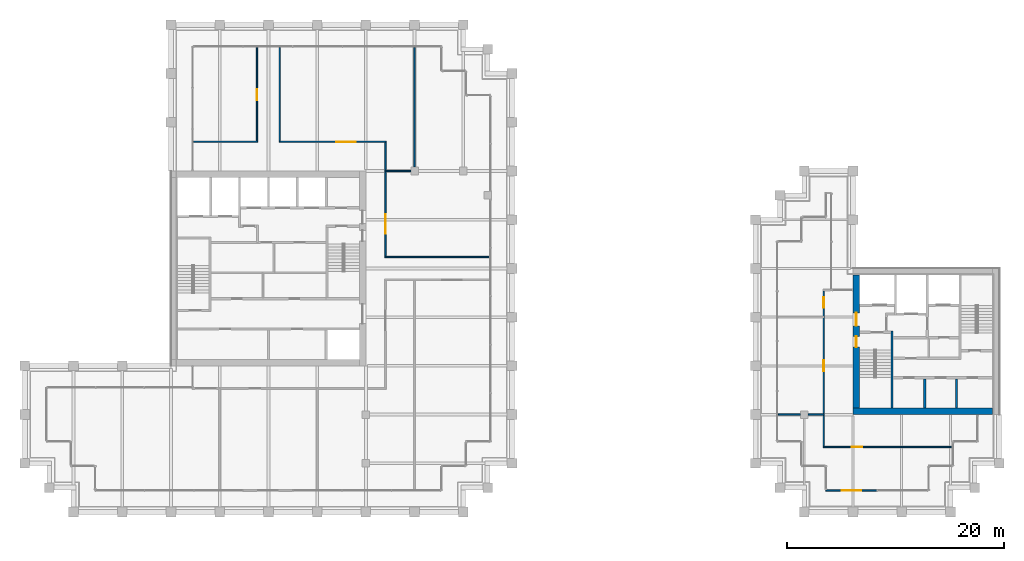
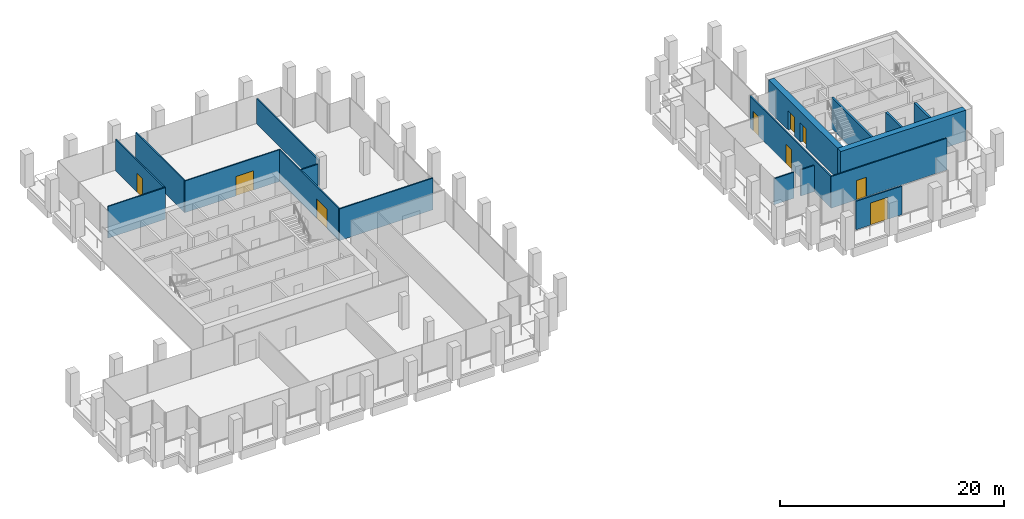
# One storey, part 37 of 40: 18 walls, 9 doors, 9 openings.
"""IFC4 building model written with IfcOpenShell, lengths in metres."""

import ifcopenshell
import ifcopenshell.guid

model = None  # the IFC model being written
_history = None  # IfcOwnerHistory: only IFC2X3 demands one
_inside = {}  # id of a spatial element -> (the spatial element, [elements in it])
_under = {}  # id of a project, library or spatial element -> (it, [spatial elements below it])
_declared = {}  # id of a project -> (the project, [libraries it declares])
_typed = {}  # id of a type object -> (the type object, [elements of that type])
_made_of = {}  # id of a material, layer set ... -> (it, [elements and type objects made of it])


def new_model(schema):
    """Start an empty IFC model of exactly this schema.

    Asked for "IFC4X3", IfcOpenShell would pick the latest addendum, in which some entities
    have other attributes; the version numbers below select the first issue.
    IFC2X3 requires an IfcOwnerHistory on every rooted entity: one is made here for all.
    """
    global model, _history
    if schema == "IFC4X3":
        model = ifcopenshell.file(schema_version=(4, 3, 0, 0))
    else:
        model = ifcopenshell.file(schema=schema)
    _inside.clear()
    _under.clear()
    _declared.clear()
    _typed.clear()
    _made_of.clear()
    _history = None
    if model.schema == "IFC2X3":
        org = make("IfcOrganization", Name="unknown")
        user = make(
            "IfcPersonAndOrganization",
            ThePerson=make("IfcPerson", FamilyName="unknown"),
            TheOrganization=org,
        )
        app = make(
            "IfcApplication",
            ApplicationDeveloper=org,
            Version="unknown",
            ApplicationFullName="unknown",
            ApplicationIdentifier="unknown",
        )
        _history = make(
            "IfcOwnerHistory",
            OwningUser=user,
            OwningApplication=app,
            ChangeAction="ADDED",
            CreationDate=0,
        )
    return model


def make(cls, **values):
    """One entity of the class cls with the attributes given. An attribute that is None is left unset."""
    return model.create_entity(
        cls, **{name: value for name, value in values.items() if value is not None}
    )


def rooted(cls, **values):
    """An entity with a GlobalId (a new one), such as an element, a storey or a relation."""
    return make(cls, GlobalId=ifcopenshell.guid.new(), OwnerHistory=_history, **values)


def si_unit(unit_type, name, prefix=None):
    """IfcSIUnit, for example si_unit("LENGTHUNIT", "METRE", prefix="MILLI")."""
    return make("IfcSIUnit", UnitType=unit_type, Prefix=prefix, Name=name)


def assignment(units):
    """IfcUnitAssignment: the units of a project."""
    return None if units is None else make("IfcUnitAssignment", Units=units)


def point(xyz):
    """IfcCartesianPoint."""
    return None if xyz is None else make("IfcCartesianPoint", Coordinates=xyz)


def direction(xyz):
    """IfcDirection."""
    return None if xyz is None else make("IfcDirection", DirectionRatios=xyz)


def frame(location, z_axis=None, x_axis=None):
    """IfcAxis2Placement3D, a coordinate frame: its origin and axes. An axis left out is left unset."""
    return make(
        "IfcAxis2Placement3D",
        Location=point(location),
        Axis=direction(z_axis),
        RefDirection=direction(x_axis),
    )


def frame_2d(location, x_axis=None):
    """IfcAxis2Placement2D, a coordinate frame in the plane: its origin and x axis."""
    return make(
        "IfcAxis2Placement2D", Location=point(location), RefDirection=direction(x_axis)
    )


def origin():
    """The frame at (0, 0, 0) with its axes left unset."""
    return frame((0.0, 0.0, 0.0))


def place(relative_to, where):
    """IfcLocalPlacement: puts the frame where relative to a parent placement (None: the world)."""
    return make(
        "IfcLocalPlacement", PlacementRelTo=relative_to, RelativePlacement=where
    )


def context(
    kind, dimensions, precision=None, world=None, true_north=None, identifier=None
):
    """IfcGeometricRepresentationContext, for example the 3D "Model" context."""
    return make(
        "IfcGeometricRepresentationContext",
        ContextIdentifier=identifier,
        ContextType=kind,
        CoordinateSpaceDimension=dimensions,
        Precision=precision,
        WorldCoordinateSystem=world,
        TrueNorth=true_north,
    )


def subcontext(parent, identifier, kind, view, scale=None):
    """IfcGeometricRepresentationSubContext, for example "Body" below "Model"."""
    return make(
        "IfcGeometricRepresentationSubContext",
        ContextIdentifier=identifier,
        ContextType=kind,
        ParentContext=parent,
        TargetScale=scale,
        TargetView=view,
    )


def project(units=None, contexts=None):
    """IfcProject with its units and contexts."""
    return rooted(
        "IfcProject",
        Name="project",
        RepresentationContexts=contexts,
        UnitsInContext=assignment(units),
    )


def spatial(cls, under=None, at=None, **own):
    """A site, building, storey or space (cls), placed at a placement, below another one or the project."""
    s = rooted(cls, ObjectPlacement=at, **own)
    if under is not None:
        _under.setdefault(under.id(), (under, []))[1].append(s)
    return s


def profile(cls, at=None, kind="AREA", **sizes):
    """A parametric profile (cls). Its sizes go by their IFC names, for example OverallWidth=200.0."""
    return make(cls, ProfileType=kind, Position=at, **sizes)


def rectangle(**sizes):
    """IfcRectangleProfileDef."""
    return profile("IfcRectangleProfileDef", **sizes)


def extrude(swept, where, along, depth):
    """IfcExtrudedAreaSolid: the profile swept, set in the frame where, extruded along a direction by depth."""
    return make(
        "IfcExtrudedAreaSolid",
        SweptArea=swept,
        Position=where,
        ExtrudedDirection=direction(along),
        Depth=depth,
    )


def shape(context_of_items, identifier, shape_type, items):
    """IfcShapeRepresentation: the items that make up one representation, for example the "Body"."""
    return make(
        "IfcShapeRepresentation",
        ContextOfItems=context_of_items,
        RepresentationIdentifier=identifier,
        RepresentationType=shape_type,
        Items=items,
    )


def material(Name=None, Category=None):
    """IfcMaterial."""
    return make("IfcMaterial", Name=Name, Category=Category)


def layer(
    of_material, thickness, ventilated=None, Name=None, Category=None, Priority=None
):
    """IfcMaterialLayer: one layer of a wall or slab, of a material (None: an air gap)."""
    return make(
        "IfcMaterialLayer",
        Material=of_material,
        LayerThickness=thickness,
        IsVentilated=ventilated,
        Name=Name,
        Category=Category,
        Priority=Priority,
    )


def layer_set(layers, Name=None):
    """IfcMaterialLayerSet."""
    return make("IfcMaterialLayerSet", MaterialLayers=layers, LayerSetName=Name)


def made_of(thing, what):
    """Note that an element or type object is made of a material, layer set ...; save() writes the relation."""
    if what is not None:
        _made_of.setdefault(what.id(), (what, []))[1].append(thing)
    return thing


def type_object(cls, material=None, **own):
    """A type object (cls), such as IfcWallType, which elements share."""
    return made_of(rooted(cls, **own), material)


def element(
    cls,
    number,
    at=None,
    inside=None,
    cuts=None,
    type_object=None,
    material=None,
    context=None,
    identifier="Body",
    shape_type=None,
    held_by="IfcProductDefinitionShape",
    body=None,
    shapes=None,
    **own,
):
    """One element of the class cls, such as IfcWall. Its Tag is "e" and its number.

    at: its placement. inside: the storey or other place that contains it. cuts: it is an
    opening in that element (IfcRelVoidsElement). A single representation is given by context,
    identifier, shape_type and body (its items); several are given by shapes. held_by: the class
    of the entity that holds the representations. save() writes the other relations.
    """
    e = rooted(cls, Tag="e%d" % number, ObjectPlacement=at, **own)
    if body is not None:
        shapes = [shape(context, identifier, shape_type, body)]
    if shapes is not None:
        e.Representation = make(held_by, Representations=shapes)
    if inside is not None:
        _inside.setdefault(inside.id(), (inside, []))[1].append(e)
    if cuts is not None:
        rooted(
            "IfcRelVoidsElement", RelatingBuildingElement=cuts, RelatedOpeningElement=e
        )
    if type_object is not None:
        _typed.setdefault(type_object.id(), (type_object, []))[1].append(e)
    return made_of(e, material)


def fill(opening, filler):
    """IfcRelFillsElement: the door or window that sits in an opening."""
    return rooted(
        "IfcRelFillsElement",
        RelatingOpeningElement=opening,
        RelatedBuildingElement=filler,
    )


def aggregate(whole, parts):
    """IfcRelAggregates: a whole, such as a stair, and the parts it consists of."""
    return rooted("IfcRelAggregates", RelatingObject=whole, RelatedObjects=parts)


def save(model, path):
    """Write the relations noted so far, then the file.

    IfcRelAggregates (storeys below a building ...), IfcRelContainedInSpatialStructure (elements
    in a storey), IfcRelDefinesByType, IfcRelAssociatesMaterial and IfcRelDeclares: one each for
    every whole, place, type object, material and project.
    """
    for whole, parts in _under.values():
        aggregate(whole, parts)
    for where, things in _inside.values():
        rooted(
            "IfcRelContainedInSpatialStructure",
            RelatedElements=things,
            RelatingStructure=where,
        )
    for kind, things in _typed.values():
        rooted("IfcRelDefinesByType", RelatedObjects=things, RelatingType=kind)
    for what, things in _made_of.values():
        rooted("IfcRelAssociatesMaterial", RelatedObjects=things, RelatingMaterial=what)
    for by, libraries in _declared.values():
        rooted("IfcRelDeclares", RelatingContext=by, RelatedDefinitions=libraries)
    model.write(path)


model = new_model("IFC4")

# Units and contexts
model_context = context("Model", 3, precision=1e-05, world=origin(), true_north=direction((0.0, 1.0)))
body_context = subcontext(model_context, "Body", "Model", "MODEL_VIEW")
ifc_project = project(units=[si_unit("LENGTHUNIT", "METRE"), si_unit("AREAUNIT", "SQUARE_METRE"), si_unit("VOLUMEUNIT", "CUBIC_METRE"), si_unit("PLANEANGLEUNIT", "RADIAN"), si_unit("MASSUNIT", "GRAM", prefix="KILO")], contexts=[model_context])

# Site, building, storey
site_placement = place(None, origin())
site = spatial("IfcSite", under=ifc_project, at=site_placement, CompositionType="ELEMENT")
building_placement = place(site_placement, origin())
building = spatial("IfcBuilding", under=site, at=building_placement, Name="Altepetl Exchange Towers", CompositionType="ELEMENT")
storey_placement = place(building_placement, frame((0.0, 0.0, 154.60009765625)))
storey = spatial("IfcBuildingStorey", under=building, at=storey_placement, Name="L38", CompositionType="ELEMENT", Elevation=154.60009765625)

# Wall
ifc_material_1 = material(Name="Concrete C70/85", Category="concrete")
ifc_layer_1 = layer(ifc_material_1, 0.60009765625)
ifc_layer_set_1 = layer_set([ifc_layer_1], Name="Concrete C70/85")
wall_type_1 = type_object("IfcWallType", Name="Core wall 600 reinforced concrete", PredefinedType="SHEAR", material=ifc_layer_set_1)
wall_1_placement = place(storey_placement, frame((103.5, 36.300048828125, 0.0)))
element("IfcWall", 1, at=wall_1_placement, inside=storey, type_object=wall_type_1, Name="wall:B:L38:K-coreS", PredefinedType="SHEAR", context=body_context, shape_type="SweptSolid", body=[
    extrude(rectangle(XDim=12.89990234375, YDim=0.60009765625, at=frame_2d((6.449951171875, 0.0))), origin(), (0.0, 0.0, 1.0), 3.349853515625),
])

# Wall, openings, doors
wall_2_placement = place(storey_placement, frame((103.800048828125, 36.60009765625, 0.0), z_axis=(0.0, 0.0, 1.0), x_axis=(0.0, 1.0, 0.0)))
wall_2 = element("IfcWall", 2, at=wall_2_placement, inside=storey, type_object=wall_type_1, Name="wall:B:L38:K-coreW", PredefinedType="SHEAR", context=body_context, shape_type="SweptSolid", body=[
    extrude(rectangle(XDim=12.2998046875, YDim=0.60009765625, at=frame_2d((6.14990234375, 0.0))), origin(), (0.0, 0.0, 1.0), 3.349853515625),
])
opening_1_placement = place(wall_2_placement, frame((7.60009765625, 0.0, 0.0)))
opening_1 = element("IfcOpeningElement", 3, at=opening_1_placement, cuts=wall_2, Name="Opening L38.B60", PredefinedType="OPENING", context=body_context, shape_type="SweptSolid", body=[
    extrude(rectangle(XDim=1.199951171875, YDim=2.10009765625, at=frame_2d((0.60009765625, 1.050048828125))), frame((0.0, 0.31005859375, 0.0), z_axis=(0.0, -1.0, 0.0), x_axis=(1.0, 0.0, 0.0)), (0.0, 0.0, 1.0), 0.6201171875),
])
opening_2_placement = place(wall_2_placement, frame((5.625, 0.0, 0.0)))
opening_2 = element("IfcOpeningElement", 4, at=opening_2_placement, cuts=wall_2, Name="Opening L38.B62", PredefinedType="OPENING", context=body_context, shape_type="SweptSolid", body=[
    extrude(rectangle(XDim=1.0, YDim=2.10009765625, at=frame_2d((0.5, 1.050048828125))), frame((0.0, 0.31005859375, 0.0), z_axis=(0.0, -1.0, 0.0), x_axis=(1.0, 0.0, 0.0)), (0.0, 0.0, 1.0), 0.6201171875),
])
ifc_material_2 = material(Name="Steel and timber fire door", Category="steel")
door_type_1 = type_object("IfcDoorType", Name="Fire door 1000 x 2100 stair and lobby", OperationType="SINGLE_SWING_LEFT", PredefinedType="DOOR", material=ifc_material_2)
door_1_placement = place(opening_2_placement, frame((1.0, 0.0, 0.0), x_axis=(-1.0, 0.0, 0.0)))
door_1 = element("IfcDoor", 5, at=door_1_placement, inside=storey, type_object=door_type_1, Name="door:B:L38:K-dS1x", OperationType="SINGLE_SWING_RIGHT", OverallHeight=2.10009765625, OverallWidth=1.0, PredefinedType="DOOR", context=body_context, shape_type="SweptSolid", body=[
    extrude(rectangle(XDim=1.0, YDim=2.10009765625, at=frame_2d((0.5, 1.050048828125))), frame((0.0, 0.02490234375, 0.0), z_axis=(0.0, -1.0, 0.0), x_axis=(1.0, 0.0, 0.0)), (0.0, 0.0, 1.0), 0.050048828125),
])
fill(opening_2, door_1)
door_type_2 = type_object("IfcDoorType", Name="Fire door 1200 x 2100 lobby entry", OperationType="SINGLE_SWING_LEFT", PredefinedType="DOOR", material=ifc_material_2)
door_2_placement = place(opening_1_placement, frame((1.199951171875, 0.0, 0.0), x_axis=(-1.0, 0.0, 0.0)))
door_2 = element("IfcDoor", 6, at=door_2_placement, inside=storey, type_object=door_type_2, Name="door:B:L38:K-dLNW", OperationType="SINGLE_SWING_RIGHT", OverallHeight=2.10009765625, OverallWidth=1.199951171875, PredefinedType="DOOR", context=body_context, shape_type="SweptSolid", body=[
    extrude(rectangle(XDim=1.199951171875, YDim=2.10009765625, at=frame_2d((0.60009765625, 1.050048828125))), frame((0.0, 0.02490234375, 0.0), z_axis=(0.0, -1.0, 0.0), x_axis=(1.0, 0.0, 0.0)), (0.0, 0.0, 1.0), 0.050048828125),
])
fill(opening_1, door_2)

# Wall, opening, door
ifc_material_3 = material(Name="Aluminium composite cladding", Category="aluminium")
ifc_layer_2 = layer(ifc_material_3, 0.14990234375)
ifc_layer_set_2 = layer_set([ifc_layer_2], Name="Aluminium composite cladding")
wall_type_2 = type_object("IfcWallType", Name="Infill wall 150 aluminium panel", PredefinedType="SOLIDWALL", material=ifc_layer_set_2)
wall_3_placement = place(storey_placement, frame((101.0, 29.0, 0.0)))
wall_3 = element("IfcWall", 7, at=wall_3_placement, inside=storey, type_object=wall_type_2, Name="Loggia door bay wall", PredefinedType="SOLIDWALL", context=body_context, shape_type="SweptSolid", body=[
    extrude(rectangle(XDim=4.71240234375, YDim=0.14990234375, at=frame_2d((2.356201171875, 0.0))), origin(), (0.0, 0.0, 1.0), 3.099853515625),
])
opening_3_placement = place(wall_3_placement, frame((1.456298828125, 0.0, 0.0)))
opening_3 = element("IfcOpeningElement", 8, at=opening_3_placement, cuts=wall_3, Name="Opening L38.B90", PredefinedType="OPENING", context=body_context, shape_type="SweptSolid", body=[
    extrude(rectangle(XDim=1.800048828125, YDim=2.39990234375, at=frame_2d((0.89990234375, 1.199951171875))), frame((0.0, 0.0849609375, 0.0), z_axis=(0.0, -1.0, 0.0), x_axis=(1.0, 0.0, 0.0)), (0.0, 0.0, 1.0), 0.169921875),
])
ifc_material_4 = material(Name="Aluminium 6063-T6 and glass", Category="aluminium")
door_type_3 = type_object("IfcDoorType", Name="Glazed door pair 1800x2400", OperationType="DOUBLE_DOOR_DOUBLE_SWING", PredefinedType="NOTDEFINED", material=ifc_material_4)
door_3_placement = place(opening_3_placement, frame((1.800048828125, 0.0, 0.0), x_axis=(-1.0, 0.0, 0.0)))
door_3 = element("IfcDoor", 9, at=door_3_placement, inside=storey, type_object=door_type_3, Name="Loggia door", OperationType="DOUBLE_DOOR_DOUBLE_SWING", OverallHeight=2.39990234375, OverallWidth=1.800048828125, PredefinedType="NOTDEFINED", context=body_context, shape_type="SweptSolid", body=[
    extrude(rectangle(XDim=1.800048828125, YDim=2.39990234375, at=frame_2d((0.89990234375, 1.199951171875))), frame((0.0, 0.02490234375, 0.0), z_axis=(0.0, -1.0, 0.0), x_axis=(1.0, 0.0, 0.0)), (0.0, 0.0, 1.0), 0.050048828125),
])
fill(opening_3, door_3)

# Walls
ifc_material_5 = material(Name="Gypsum board on steel studs", Category="steel")
ifc_layer_3 = layer(ifc_material_5, 0.125)
ifc_layer_set_3 = layer_set([ifc_layer_3], Name="Gypsum board on steel studs")
wall_type_3 = type_object("IfcWallType", Name="Partition 125 gypsum board on steel studs", PredefinedType="PARTITIONING", material=ifc_layer_set_3)
wall_4_placement = place(storey_placement, frame((60.237548828125, 50.550048828125, 0.0)))
element("IfcWall", 10, at=wall_4_placement, inside=storey, type_object=wall_type_3, Name="wall:A:L38:P03", PredefinedType="PARTITIONING", context=body_context, shape_type="SweptSolid", body=[
    extrude(rectangle(XDim=9.662353515625, YDim=0.125, at=frame_2d((4.8310546875, 0.0))), origin(), (0.0, 0.0, 1.0), 3.449951171875),
])
wall_5_placement = place(storey_placement, frame((60.300048828125, 58.5, 0.0)))
element("IfcWall", 11, at=wall_5_placement, inside=storey, type_object=wall_type_3, Name="wall:A:L38:P04", PredefinedType="PARTITIONING", context=body_context, shape_type="SweptSolid", body=[
    extrude(rectangle(XDim=2.349853515625, YDim=0.125, at=frame_2d((1.1748046875, 0.0))), origin(), (0.0, 0.0, 1.0), 2.67578125),
])
wall_6_placement = place(storey_placement, frame((42.60009765625, 61.199951171875, 0.0)))
element("IfcWall", 12, at=wall_6_placement, inside=storey, type_object=wall_type_3, Name="wall:A:L38:P05", PredefinedType="PARTITIONING", context=body_context, shape_type="SweptSolid", body=[
    extrude(rectangle(XDim=5.912353515625, YDim=0.125, at=frame_2d((2.9560546875, 0.0))), origin(), (0.0, 0.0, 1.0), 3.449951171875),
])

# Wall, opening, door
wall_7_placement = place(storey_placement, frame((50.487548828125, 61.199951171875, 0.0)))
wall_7 = element("IfcWall", 13, at=wall_7_placement, inside=storey, type_object=wall_type_3, Name="wall:A:L38:P06", PredefinedType="PARTITIONING", context=body_context, shape_type="SweptSolid", body=[
    extrude(rectangle(XDim=9.875, YDim=0.125, at=frame_2d((4.9375, 0.0))), origin(), (0.0, 0.0, 1.0), 3.449951171875),
])
opening_4_placement = place(wall_7_placement, frame((5.271484375, 0.0, 0.0)))
opening_4 = element("IfcOpeningElement", 14, at=opening_4_placement, cuts=wall_7, Name="Opening L38.A06", PredefinedType="OPENING", context=body_context, shape_type="SweptSolid", body=[
    extrude(rectangle(XDim=1.800048828125, YDim=2.10009765625, at=frame_2d((0.89990234375, 1.050048828125))), frame((0.0, 0.072509765625, 0.0), z_axis=(0.0, -1.0, 0.0), x_axis=(1.0, 0.0, 0.0)), (0.0, 0.0, 1.0), 0.14501953125),
])
door_type_4 = type_object("IfcDoorType", Name="Fire door 1800 x 2100 double leaf", OperationType="DOUBLE_DOOR_SINGLE_SWING", PredefinedType="DOOR", material=ifc_material_2)
door_4_placement = place(opening_4_placement, origin())
door_4 = element("IfcDoor", 15, at=door_4_placement, inside=storey, type_object=door_type_4, Name="door:A:L38:06", OperationType="DOUBLE_DOOR_SINGLE_SWING", OverallHeight=2.10009765625, OverallWidth=1.800048828125, PredefinedType="DOOR", context=body_context, shape_type="SweptSolid", body=[
    extrude(rectangle(XDim=1.800048828125, YDim=2.10009765625, at=frame_2d((0.89990234375, 1.050048828125))), frame((0.0, 0.02490234375, 0.0), z_axis=(0.0, -1.0, 0.0), x_axis=(1.0, 0.0, 0.0)), (0.0, 0.0, 1.0), 0.050048828125),
])
fill(opening_4, door_4)

wall_8_placement = place(storey_placement, frame((48.449951171875, 61.262451171875, 0.0), z_axis=(0.0, 0.0, 1.0), x_axis=(0.0, 1.0, 0.0)))
wall_8 = element("IfcWall", 16, at=wall_8_placement, inside=storey, type_object=wall_type_3, Name="wall:A:L38:P08", PredefinedType="PARTITIONING", context=body_context, shape_type="SweptSolid", body=[
    extrude(rectangle(XDim=8.637451171875, YDim=0.125, at=frame_2d((4.31884765625, 0.0))), origin(), (0.0, 0.0, 1.0), 3.449951171875),
])
opening_5_placement = place(wall_8_placement, frame((3.78759765625, 0.0, 0.0)))
opening_5 = element("IfcOpeningElement", 17, at=opening_5_placement, cuts=wall_8, Name="Opening L38.A07", PredefinedType="OPENING", context=body_context, shape_type="SweptSolid", body=[
    extrude(rectangle(XDim=1.0, YDim=2.10009765625, at=frame_2d((0.5, 1.050048828125))), frame((0.0, 0.072509765625, 0.0), z_axis=(0.0, -1.0, 0.0), x_axis=(1.0, 0.0, 0.0)), (0.0, 0.0, 1.0), 0.14501953125),
])
door_type_5 = type_object("IfcDoorType", Name="Fire door 1000 x 2100 single leaf", OperationType="SINGLE_SWING_LEFT", PredefinedType="DOOR", material=ifc_material_2)
door_5_placement = place(opening_5_placement, origin())
door_5 = element("IfcDoor", 18, at=door_5_placement, inside=storey, type_object=door_type_5, Name="door:A:L38:07", OperationType="SINGLE_SWING_RIGHT", OverallHeight=2.10009765625, OverallWidth=1.0, PredefinedType="DOOR", context=body_context, shape_type="SweptSolid", body=[
    extrude(rectangle(XDim=1.0, YDim=2.10009765625, at=frame_2d((0.5, 1.050048828125))), frame((0.0, 0.02490234375, 0.0), z_axis=(0.0, -1.0, 0.0), x_axis=(1.0, 0.0, 0.0)), (0.0, 0.0, 1.0), 0.050048828125),
])
fill(opening_5, door_5)

# Wall
wall_9_placement = place(storey_placement, frame((50.550048828125, 61.262451171875, 0.0), z_axis=(0.0, 0.0, 1.0), x_axis=(0.0, 1.0, 0.0)))
element("IfcWall", 19, at=wall_9_placement, inside=storey, type_object=wall_type_3, Name="wall:A:L38:P09", PredefinedType="PARTITIONING", context=body_context, shape_type="SweptSolid", body=[
    extrude(rectangle(XDim=8.637451171875, YDim=0.125, at=frame_2d((4.31884765625, 0.0))), origin(), (0.0, 0.0, 1.0), 3.449951171875),
])

# Wall, opening, door
wall_10_placement = place(storey_placement, frame((60.300048828125, 50.612548828125, 0.0), z_axis=(0.0, 0.0, 1.0), x_axis=(0.0, 1.0, 0.0)))
wall_10 = element("IfcWall", 20, at=wall_10_placement, inside=storey, type_object=wall_type_3, Name="wall:A:L38:P12", PredefinedType="PARTITIONING", context=body_context, shape_type="SweptSolid", body=[
    extrude(rectangle(XDim=10.52490234375, YDim=0.125, at=frame_2d((5.262451171875, 0.0))), origin(), (0.0, 0.0, 1.0), 3.449951171875),
])
opening_6_placement = place(wall_10_placement, frame((2.093505859375, 0.0, 0.0)))
opening_6 = element("IfcOpeningElement", 21, at=opening_6_placement, cuts=wall_10, Name="Opening L38.A05", PredefinedType="OPENING", context=body_context, shape_type="SweptSolid", body=[
    extrude(rectangle(XDim=1.800048828125, YDim=2.10009765625, at=frame_2d((0.89990234375, 1.050048828125))), frame((0.0, 0.072509765625, 0.0), z_axis=(0.0, -1.0, 0.0), x_axis=(1.0, 0.0, 0.0)), (0.0, 0.0, 1.0), 0.14501953125),
])
door_6_placement = place(opening_6_placement, frame((1.800048828125, 0.0, 0.0), x_axis=(-1.0, 0.0, 0.0)))
door_6 = element("IfcDoor", 22, at=door_6_placement, inside=storey, type_object=door_type_4, Name="door:A:L38:05", OperationType="DOUBLE_DOOR_SINGLE_SWING", OverallHeight=2.10009765625, OverallWidth=1.800048828125, PredefinedType="DOOR", context=body_context, shape_type="SweptSolid", body=[
    extrude(rectangle(XDim=1.800048828125, YDim=2.10009765625, at=frame_2d((0.89990234375, 1.050048828125))), frame((0.0, 0.02490234375, 0.0), z_axis=(0.0, -1.0, 0.0), x_axis=(1.0, 0.0, 0.0)), (0.0, 0.0, 1.0), 0.050048828125),
])
fill(opening_6, door_6)

# Wall
wall_11_placement = place(storey_placement, frame((63.0, 58.85009765625, 0.0), z_axis=(0.0, 0.0, 1.0), x_axis=(0.0, 1.0, 0.0)))
element("IfcWall", 23, at=wall_11_placement, inside=storey, type_object=wall_type_3, Name="wall:A:L38:P14", PredefinedType="PARTITIONING", context=body_context, shape_type="SweptSolid", body=[
    extrude(rectangle(XDim=11.0498046875, YDim=0.125, at=frame_2d((5.52490234375, 0.0))), origin(), (0.0, 0.0, 1.0), 2.765869140625),
])

# Wall, opening, door
wall_12_placement = place(storey_placement, frame((100.737548828125, 33.0, 0.0)))
wall_12 = element("IfcWall", 24, at=wall_12_placement, inside=storey, type_object=wall_type_3, Name="wall:B:L38:P01", PredefinedType="PARTITIONING", context=body_context, shape_type="SweptSolid", body=[
    extrude(rectangle(XDim=11.912353515625, YDim=0.125, at=frame_2d((5.9560546875, 0.0))), origin(), (0.0, 0.0, 1.0), 3.449951171875),
])
opening_7_placement = place(wall_12_placement, frame((2.639404296875, 0.0, 0.0)))
opening_7 = element("IfcOpeningElement", 25, at=opening_7_placement, cuts=wall_12, Name="Opening L38.B02", PredefinedType="OPENING", context=body_context, shape_type="SweptSolid", body=[
    extrude(rectangle(XDim=1.0, YDim=2.10009765625, at=frame_2d((0.5, 1.050048828125))), frame((0.0, 0.072509765625, 0.0), z_axis=(0.0, -1.0, 0.0), x_axis=(1.0, 0.0, 0.0)), (0.0, 0.0, 1.0), 0.14501953125),
])
door_7_placement = place(opening_7_placement, frame((1.0, 0.0, 0.0), x_axis=(-1.0, 0.0, 0.0)))
door_7 = element("IfcDoor", 26, at=door_7_placement, inside=storey, type_object=door_type_5, Name="door:B:L38:02", OperationType="SINGLE_SWING_LEFT", OverallHeight=2.10009765625, OverallWidth=1.0, PredefinedType="DOOR", context=body_context, shape_type="SweptSolid", body=[
    extrude(rectangle(XDim=1.0, YDim=2.10009765625, at=frame_2d((0.5, 1.050048828125))), frame((0.0, 0.02490234375, 0.0), z_axis=(0.0, -1.0, 0.0), x_axis=(1.0, 0.0, 0.0)), (0.0, 0.0, 1.0), 0.050048828125),
])
fill(opening_7, door_7)

# Walls
wall_13_placement = place(storey_placement, frame((96.60009765625, 36.0, 0.0)))
element("IfcWall", 27, at=wall_13_placement, inside=storey, type_object=wall_type_3, Name="wall:B:L38:P02", PredefinedType="PARTITIONING", context=body_context, shape_type="SweptSolid", body=[
    extrude(rectangle(XDim=2.0498046875, YDim=0.125, at=frame_2d((1.02490234375, 0.0))), origin(), (0.0, 0.0, 1.0), 2.841796875),
])
wall_14_placement = place(storey_placement, frame((99.35009765625, 36.0, 0.0)))
element("IfcWall", 28, at=wall_14_placement, inside=storey, type_object=wall_type_3, Name="wall:B:L38:P03", PredefinedType="PARTITIONING", context=body_context, shape_type="SweptSolid", body=[
    extrude(rectangle(XDim=1.449951171875, YDim=0.125, at=frame_2d((0.72509765625, 0.0))), origin(), (0.0, 0.0, 1.0), 2.841796875),
])

# Wall, openings, doors
wall_15_placement = place(storey_placement, frame((100.800048828125, 33.0625, 0.0), z_axis=(0.0, 0.0, 1.0), x_axis=(0.0, 1.0, 0.0)))
wall_15 = element("IfcWall", 29, at=wall_15_placement, inside=storey, type_object=wall_type_3, Name="wall:B:L38:P06", PredefinedType="PARTITIONING", context=body_context, shape_type="SweptSolid", body=[
    extrude(rectangle(XDim=14.375, YDim=0.125, at=frame_2d((7.1875, 0.0))), origin(), (0.0, 0.0, 1.0), 3.449951171875),
])
opening_8_placement = place(wall_15_placement, frame((6.9375, 0.0, 0.0)))
opening_8 = element("IfcOpeningElement", 30, at=opening_8_placement, cuts=wall_15, Name="Opening L38.B01", PredefinedType="OPENING", context=body_context, shape_type="SweptSolid", body=[
    extrude(rectangle(XDim=1.0, YDim=2.10009765625, at=frame_2d((0.5, 1.050048828125))), frame((0.0, 0.072509765625, 0.0), z_axis=(0.0, -1.0, 0.0), x_axis=(1.0, 0.0, 0.0)), (0.0, 0.0, 1.0), 0.14501953125),
])
opening_9_placement = place(wall_15_placement, frame((12.79248046875, 0.0, 0.0)))
opening_9 = element("IfcOpeningElement", 31, at=opening_9_placement, cuts=wall_15, Name="Opening L38.B03", PredefinedType="OPENING", context=body_context, shape_type="SweptSolid", body=[
    extrude(rectangle(XDim=1.0, YDim=2.10009765625, at=frame_2d((0.5, 1.050048828125))), frame((0.0, 0.072509765625, 0.0), z_axis=(0.0, -1.0, 0.0), x_axis=(1.0, 0.0, 0.0)), (0.0, 0.0, 1.0), 0.14501953125),
])
door_8_placement = place(opening_8_placement, origin())
door_8 = element("IfcDoor", 32, at=door_8_placement, inside=storey, type_object=door_type_5, Name="door:B:L38:01", OperationType="SINGLE_SWING_RIGHT", OverallHeight=2.10009765625, OverallWidth=1.0, PredefinedType="DOOR", context=body_context, shape_type="SweptSolid", body=[
    extrude(rectangle(XDim=1.0, YDim=2.10009765625, at=frame_2d((0.5, 1.050048828125))), frame((0.0, 0.02490234375, 0.0), z_axis=(0.0, -1.0, 0.0), x_axis=(1.0, 0.0, 0.0)), (0.0, 0.0, 1.0), 0.050048828125),
])
fill(opening_8, door_8)
door_9_placement = place(opening_9_placement, origin())
door_9 = element("IfcDoor", 33, at=door_9_placement, inside=storey, type_object=door_type_5, Name="door:B:L38:03", OperationType="SINGLE_SWING_RIGHT", OverallHeight=2.10009765625, OverallWidth=1.0, PredefinedType="DOOR", context=body_context, shape_type="SweptSolid", body=[
    extrude(rectangle(XDim=1.0, YDim=2.10009765625, at=frame_2d((0.5, 1.050048828125))), frame((0.0, 0.02490234375, 0.0), z_axis=(0.0, -1.0, 0.0), x_axis=(1.0, 0.0, 0.0)), (0.0, 0.0, 1.0), 0.050048828125),
])
fill(opening_9, door_9)

# Walls
ifc_layer_4 = layer(ifc_material_1, 0.199951171875)
ifc_layer_set_4 = layer_set([ifc_layer_4], Name="Concrete C70/85")
wall_type_4 = type_object("IfcWallType", Name="Shear wall 200 reinforced concrete", PredefinedType="SHEAR", material=ifc_layer_set_4)
for number, where, z_axis, x_axis, name in (
    (34, (110.13330078125, 36.60009765625, 0.0), (0.0, 0.0, 1.0), (0.0, 1.0, 0.0), "wall:B:L38:K-divS1"),
    (35, (113.066650390625, 36.60009765625, 0.0), (0.0, 0.0, 1.0), (0.0, 1.0, 0.0), "wall:B:L38:K-divS2"),
):
    element("IfcWall", number, at=place(storey_placement, frame(where, z_axis=z_axis, x_axis=x_axis)), inside=storey, type_object=wall_type_4, Name=name, PredefinedType="SHEAR", context=body_context, shape_type="SweptSolid", body=[
        extrude(rectangle(XDim=2.699951171875, YDim=0.199951171875, at=frame_2d((1.35009765625, 0.0))), origin(), (0.0, 0.0, 1.0), 3.349853515625),
    ])
ifc_material_6 = material(Name="Concrete C40/50", Category="concrete")
ifc_layer_5 = layer(ifc_material_6, 0.199951171875)
ifc_layer_set_5 = layer_set([ifc_layer_5], Name="Concrete C40/50")
wall_type_5 = type_object("IfcWallType", Name="Stair wall 200 reinforced concrete", PredefinedType="SHEAR", material=ifc_layer_set_5)
wall_16_placement = place(storey_placement, frame((107.10009765625, 36.60009765625, 0.0), z_axis=(0.0, 0.0, 1.0), x_axis=(0.0, 1.0, 0.0)))
element("IfcWall", 36, at=wall_16_placement, inside=storey, type_object=wall_type_5, Name="wall:B:L38:K-stS1E", PredefinedType="SHEAR", context=body_context, shape_type="SweptSolid", body=[
    extrude(rectangle(XDim=7.099853515625, YDim=0.199951171875, at=frame_2d((3.5498046875, 0.0))), origin(), (0.0, 0.0, 1.0), 3.349853515625),
])

save(model, "model.ifc")
